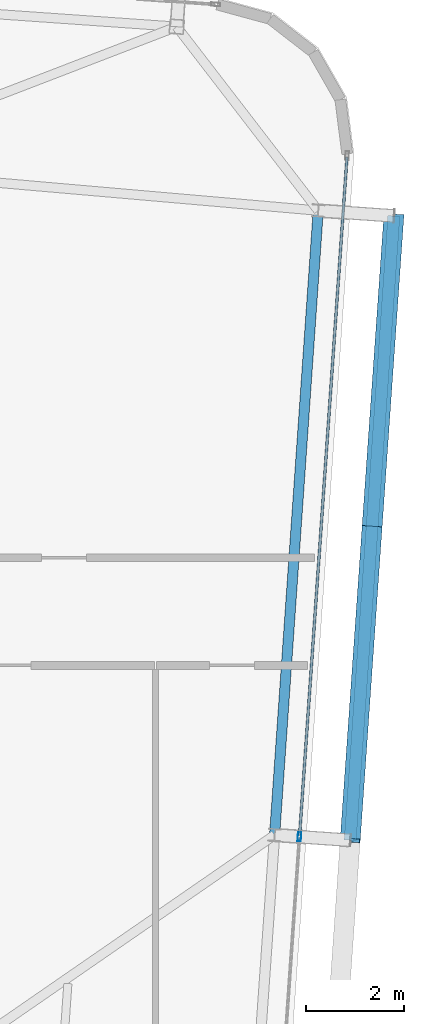
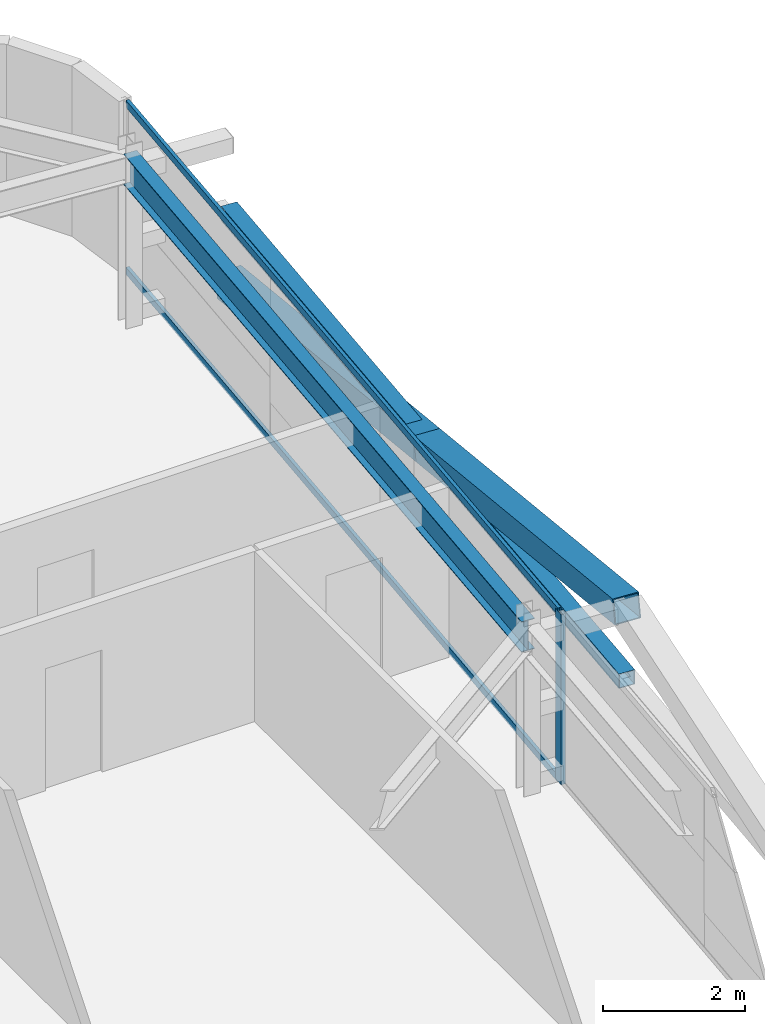
# One storey, part 17 of 39: 6 members, 1 beam, 1 element without a shape of its own.
"""IFC4 building model written with IfcOpenShell, lengths in metres."""

import ifcopenshell
import ifcopenshell.guid

model = None  # the IFC model being written
_history = None  # IfcOwnerHistory: only IFC2X3 demands one
_inside = {}  # id of a spatial element -> (the spatial element, [elements in it])
_under = {}  # id of a project, library or spatial element -> (it, [spatial elements below it])
_declared = {}  # id of a project -> (the project, [libraries it declares])
_typed = {}  # id of a type object -> (the type object, [elements of that type])
_made_of = {}  # id of a material, layer set ... -> (it, [elements and type objects made of it])


def new_model(schema):
    """Start an empty IFC model of exactly this schema.

    Asked for "IFC4X3", IfcOpenShell would pick the latest addendum, in which some entities
    have other attributes; the version numbers below select the first issue.
    IFC2X3 requires an IfcOwnerHistory on every rooted entity: one is made here for all.
    """
    global model, _history
    if schema == "IFC4X3":
        model = ifcopenshell.file(schema_version=(4, 3, 0, 0))
    else:
        model = ifcopenshell.file(schema=schema)
    _inside.clear()
    _under.clear()
    _declared.clear()
    _typed.clear()
    _made_of.clear()
    _history = None
    if model.schema == "IFC2X3":
        org = make("IfcOrganization", Name="unknown")
        user = make(
            "IfcPersonAndOrganization",
            ThePerson=make("IfcPerson", FamilyName="unknown"),
            TheOrganization=org,
        )
        app = make(
            "IfcApplication",
            ApplicationDeveloper=org,
            Version="unknown",
            ApplicationFullName="unknown",
            ApplicationIdentifier="unknown",
        )
        _history = make(
            "IfcOwnerHistory",
            OwningUser=user,
            OwningApplication=app,
            ChangeAction="ADDED",
            CreationDate=0,
        )
    return model


def make(cls, **values):
    """One entity of the class cls with the attributes given. An attribute that is None is left unset."""
    return model.create_entity(
        cls, **{name: value for name, value in values.items() if value is not None}
    )


def rooted(cls, **values):
    """An entity with a GlobalId (a new one), such as an element, a storey or a relation."""
    return make(cls, GlobalId=ifcopenshell.guid.new(), OwnerHistory=_history, **values)


def si_unit(unit_type, name, prefix=None):
    """IfcSIUnit, for example si_unit("LENGTHUNIT", "METRE", prefix="MILLI")."""
    return make("IfcSIUnit", UnitType=unit_type, Prefix=prefix, Name=name)


def assignment(units):
    """IfcUnitAssignment: the units of a project."""
    return None if units is None else make("IfcUnitAssignment", Units=units)


def point(xyz):
    """IfcCartesianPoint."""
    return None if xyz is None else make("IfcCartesianPoint", Coordinates=xyz)


def direction(xyz):
    """IfcDirection."""
    return None if xyz is None else make("IfcDirection", DirectionRatios=xyz)


def frame(location, z_axis=None, x_axis=None):
    """IfcAxis2Placement3D, a coordinate frame: its origin and axes. An axis left out is left unset."""
    return make(
        "IfcAxis2Placement3D",
        Location=point(location),
        Axis=direction(z_axis),
        RefDirection=direction(x_axis),
    )


def frame_2d(location, x_axis=None):
    """IfcAxis2Placement2D, a coordinate frame in the plane: its origin and x axis."""
    return make(
        "IfcAxis2Placement2D", Location=point(location), RefDirection=direction(x_axis)
    )


def origin():
    """The frame at (0, 0, 0) with its axes left unset."""
    return frame((0.0, 0.0, 0.0))


def origin_2d():
    """The frame at (0, 0) in the plane with its x axis left unset."""
    return frame_2d((0.0, 0.0))


def place(relative_to, where):
    """IfcLocalPlacement: puts the frame where relative to a parent placement (None: the world)."""
    return make(
        "IfcLocalPlacement", PlacementRelTo=relative_to, RelativePlacement=where
    )


def context(
    kind, dimensions, precision=None, world=None, true_north=None, identifier=None
):
    """IfcGeometricRepresentationContext, for example the 3D "Model" context."""
    return make(
        "IfcGeometricRepresentationContext",
        ContextIdentifier=identifier,
        ContextType=kind,
        CoordinateSpaceDimension=dimensions,
        Precision=precision,
        WorldCoordinateSystem=world,
        TrueNorth=true_north,
    )


def subcontext(parent, identifier, kind, view, scale=None):
    """IfcGeometricRepresentationSubContext, for example "Body" below "Model"."""
    return make(
        "IfcGeometricRepresentationSubContext",
        ContextIdentifier=identifier,
        ContextType=kind,
        ParentContext=parent,
        TargetScale=scale,
        TargetView=view,
    )


def project(units=None, contexts=None):
    """IfcProject with its units and contexts."""
    return rooted(
        "IfcProject",
        Name="project",
        RepresentationContexts=contexts,
        UnitsInContext=assignment(units),
    )


def spatial(cls, under=None, at=None, **own):
    """A site, building, storey or space (cls), placed at a placement, below another one or the project."""
    s = rooted(cls, ObjectPlacement=at, **own)
    if under is not None:
        _under.setdefault(under.id(), (under, []))[1].append(s)
    return s


def profile(cls, at=None, kind="AREA", **sizes):
    """A parametric profile (cls). Its sizes go by their IFC names, for example OverallWidth=200.0."""
    return make(cls, ProfileType=kind, Position=at, **sizes)


def hollow_rectangle(**sizes):
    """IfcRectangleHollowProfileDef."""
    return profile("IfcRectangleHollowProfileDef", **sizes)


def i_section(**sizes):
    """IfcIShapeProfileDef."""
    return profile("IfcIShapeProfileDef", **sizes)


def extrude(swept, where, along, depth):
    """IfcExtrudedAreaSolid: the profile swept, set in the frame where, extruded along a direction by depth."""
    return make(
        "IfcExtrudedAreaSolid",
        SweptArea=swept,
        Position=where,
        ExtrudedDirection=direction(along),
        Depth=depth,
    )


def shape(context_of_items, identifier, shape_type, items):
    """IfcShapeRepresentation: the items that make up one representation, for example the "Body"."""
    return make(
        "IfcShapeRepresentation",
        ContextOfItems=context_of_items,
        RepresentationIdentifier=identifier,
        RepresentationType=shape_type,
        Items=items,
    )


def source(mapping_origin, context_of_items, identifier, shape_type, items):
    """IfcRepresentationMap: a shape defined once, which mapped items show again and again."""
    return make(
        "IfcRepresentationMap",
        MappingOrigin=mapping_origin,
        MappedRepresentation=shape(context_of_items, identifier, shape_type, items),
    )


def transform(
    local_origin,
    x_axis=None,
    y_axis=None,
    z_axis=None,
    scale=None,
    scale2=None,
    scale3=None,
    uniform=True,
):
    """IfcCartesianTransformationOperator3D, or its non-uniform kind. x_axis, y_axis, z_axis: its Axis1, 2, 3."""
    if uniform:
        return make(
            "IfcCartesianTransformationOperator3D",
            Axis1=direction(x_axis),
            Axis2=direction(y_axis),
            LocalOrigin=point(local_origin),
            Scale=scale,
            Axis3=direction(z_axis),
        )
    return make(
        "IfcCartesianTransformationOperator3DnonUniform",
        Axis1=direction(x_axis),
        Axis2=direction(y_axis),
        LocalOrigin=point(local_origin),
        Scale=scale,
        Axis3=direction(z_axis),
        Scale2=scale2,
        Scale3=scale3,
    )


def mapped(mapping_source, mapping_target):
    """IfcMappedItem: shows the shape of a source again, moved by a transform."""
    return make(
        "IfcMappedItem", MappingSource=mapping_source, MappingTarget=mapping_target
    )


def material(Name=None, Category=None):
    """IfcMaterial."""
    return make("IfcMaterial", Name=Name, Category=Category)


def layer(
    of_material, thickness, ventilated=None, Name=None, Category=None, Priority=None
):
    """IfcMaterialLayer: one layer of a wall or slab, of a material (None: an air gap)."""
    return make(
        "IfcMaterialLayer",
        Material=of_material,
        LayerThickness=thickness,
        IsVentilated=ventilated,
        Name=Name,
        Category=Category,
        Priority=Priority,
    )


def layer_set(layers, Name=None):
    """IfcMaterialLayerSet."""
    return make("IfcMaterialLayerSet", MaterialLayers=layers, LayerSetName=Name)


def material_profile(
    of_material, cross_section, Name=None, Category=None, Priority=None
):
    """IfcMaterialProfile: a cross section and its material."""
    return make(
        "IfcMaterialProfile",
        Name=Name,
        Material=of_material,
        Profile=cross_section,
        Priority=Priority,
        Category=Category,
    )


def profile_set(profiles, Name=None, composite=None):
    """IfcMaterialProfileSet."""
    return make(
        "IfcMaterialProfileSet",
        Name=Name,
        MaterialProfiles=profiles,
        CompositeProfile=composite,
    )


def made_of(thing, what):
    """Note that an element or type object is made of a material, layer set ...; save() writes the relation."""
    if what is not None:
        _made_of.setdefault(what.id(), (what, []))[1].append(thing)
    return thing


def type_object(cls, material=None, **own):
    """A type object (cls), such as IfcWallType, which elements share."""
    return made_of(rooted(cls, **own), material)


def element(
    cls,
    number,
    at=None,
    inside=None,
    cuts=None,
    type_object=None,
    material=None,
    context=None,
    identifier="Body",
    shape_type=None,
    held_by="IfcProductDefinitionShape",
    body=None,
    shapes=None,
    **own,
):
    """One element of the class cls, such as IfcWall. Its Tag is "e" and its number.

    at: its placement. inside: the storey or other place that contains it. cuts: it is an
    opening in that element (IfcRelVoidsElement). A single representation is given by context,
    identifier, shape_type and body (its items); several are given by shapes. held_by: the class
    of the entity that holds the representations. save() writes the other relations.
    """
    e = rooted(cls, Tag="e%d" % number, ObjectPlacement=at, **own)
    if body is not None:
        shapes = [shape(context, identifier, shape_type, body)]
    if shapes is not None:
        e.Representation = make(held_by, Representations=shapes)
    if inside is not None:
        _inside.setdefault(inside.id(), (inside, []))[1].append(e)
    if cuts is not None:
        rooted(
            "IfcRelVoidsElement", RelatingBuildingElement=cuts, RelatedOpeningElement=e
        )
    if type_object is not None:
        _typed.setdefault(type_object.id(), (type_object, []))[1].append(e)
    return made_of(e, material)


def aggregate(whole, parts):
    """IfcRelAggregates: a whole, such as a stair, and the parts it consists of."""
    return rooted("IfcRelAggregates", RelatingObject=whole, RelatedObjects=parts)


def save(model, path):
    """Write the relations noted so far, then the file.

    IfcRelAggregates (storeys below a building ...), IfcRelContainedInSpatialStructure (elements
    in a storey), IfcRelDefinesByType, IfcRelAssociatesMaterial and IfcRelDeclares: one each for
    every whole, place, type object, material and project.
    """
    for whole, parts in _under.values():
        aggregate(whole, parts)
    for where, things in _inside.values():
        rooted(
            "IfcRelContainedInSpatialStructure",
            RelatedElements=things,
            RelatingStructure=where,
        )
    for kind, things in _typed.values():
        rooted("IfcRelDefinesByType", RelatedObjects=things, RelatingType=kind)
    for what, things in _made_of.values():
        rooted("IfcRelAssociatesMaterial", RelatedObjects=things, RelatingMaterial=what)
    for by, libraries in _declared.values():
        rooted("IfcRelDeclares", RelatingContext=by, RelatedDefinitions=libraries)
    model.write(path)


model = new_model("IFC4")

# Units and contexts
model_context = context("Model", 3, precision=1e-05, world=origin(), true_north=direction((0.0, 1.0)))
body_context = subcontext(model_context, "Body", "Model", "MODEL_VIEW")
ifc_project = project(units=[si_unit("LENGTHUNIT", "METRE"), si_unit("AREAUNIT", "SQUARE_METRE"), si_unit("VOLUMEUNIT", "CUBIC_METRE"), si_unit("PLANEANGLEUNIT", "RADIAN"), si_unit("MASSUNIT", "GRAM", prefix="KILO")], contexts=[model_context])

# Site, building, storey
site_placement = place(None, origin())
site = spatial("IfcSite", under=ifc_project, at=site_placement, CompositionType="ELEMENT")
building_placement = place(site_placement, origin())
building = spatial("IfcBuilding", under=site, at=building_placement, Name="Taldren Reach Tower", CompositionType="ELEMENT")
storey_placement = place(building_placement, frame((0.0, 0.0, 120.39990234375)))
storey = spatial("IfcBuildingStorey", under=building, at=storey_placement, Name="L36", CompositionType="ELEMENT", Elevation=120.39990234375)

# Beam
ifc_material_1 = material(Name="Steel Gr 350 (350PLUS)", Category="steel")
ifc_material_profile_1 = material_profile(ifc_material_1, i_section(OverallWidth=0.208984375, OverallDepth=0.528076171875, WebThickness=0.009521484375, FlangeThickness=0.01318359375, at=origin_2d()), Name="530UB82.0")
ifc_profile_set_1 = profile_set([ifc_material_profile_1], Name="Steel Gr 350 (350PLUS)")
beam_type = type_object("IfcBeamType", Name="SP-UB530B", PredefinedType="SPANDREL", material=ifc_profile_set_1)
shared_shape_1 = source(origin(), body_context, "Body", "SweptSolid", [
    extrude(i_section(OverallWidth=0.208984375, OverallDepth=0.528076171875, WebThickness=0.009521484375, FlangeThickness=0.01318359375, at=origin_2d()), origin(), (0.0, 0.0, 1.0), 12.800048828125),
])
beam_placement = place(storey_placement, frame((60.438232421875, 18.331787109375, 2.666015625), z_axis=(0.069751876777, 0.9975643717, 0.0), x_axis=(-0.9975643717, 0.069751876777, 0.0)))
element("IfcBeam", 1, at=beam_placement, inside=storey, type_object=beam_type, Name="Perimeter spandrel B3 E2-E3 L36", PredefinedType="SPANDREL", context=body_context, shape_type="MappedRepresentation", body=[
    mapped(shared_shape_1, transform((0.0, 0.0, 0.0), scale=1.0)),
])

# Members
ifc_material_2 = material(Name="Steel Gr 350 (C350L0)", Category="steel")
ifc_material_profile_2 = material_profile(ifc_material_2, hollow_rectangle(XDim=0.25, YDim=0.25, WallThickness=0.010009765625, at=origin_2d()), Name="250x250x10.0SHS")
ifc_profile_set_2 = profile_set([ifc_material_profile_2], Name="Steel Gr 350 (C350L0)")
member_type_1 = type_object("IfcMemberType", Name="MB-POST250", PredefinedType="POST", material=ifc_profile_set_2)
shared_shape_2 = source(origin(), body_context, "Body", "SweptSolid", [
    extrude(hollow_rectangle(XDim=0.25, YDim=0.25, WallThickness=0.010009765625, at=origin_2d()), origin(), (0.0, 0.0, 1.0), 12.800048828125),
])
member_1_placement = place(storey_placement, frame((61.984375, 18.2236328125, 1.43505859375), z_axis=(0.069770857464, 0.997563044348, 0.0), x_axis=(-0.997563044348, 0.069770857464, 0.0)))
element("IfcMember", 2, at=member_1_placement, inside=storey, type_object=member_type_1, Name="Exoskeleton mid-height ring chord B3-E2 L36", PredefinedType="POST", context=body_context, shape_type="MappedRepresentation", body=[
    mapped(shared_shape_2, transform((0.0, 0.0, 0.0), scale=1.0)),
])
ifc_material_3 = material(Name="Steel Gr 450 (C450L0)", Category="steel")
ifc_material_profile_3 = material_profile(ifc_material_3, hollow_rectangle(XDim=0.409912109375, YDim=0.409912109375, WallThickness=0.01611328125, at=origin_2d()), Name="410x410x16.0SHS")
ifc_profile_set_3 = profile_set([ifc_material_profile_3], Name="Steel Gr 450 (C450L0)")
member_type_2 = type_object("IfcMemberType", Name="MB-EXO406", PredefinedType="BRACE", material=ifc_profile_set_3)
shared_shape_3 = source(origin(), body_context, "Body", "SweptSolid", [
    extrude(hollow_rectangle(XDim=0.409912109375, YDim=0.409912109375, WallThickness=0.01611328125, at=origin_2d()), origin(), (0.0, 0.0, 1.0), 6.514404296875),
])
member_2_placement = place(storey_placement, frame((62.87744140625, 30.992431640625, 0.22021484375), z_axis=(-0.068545605936, -0.980063499638, 0.186486022492), x_axis=(0.997563137195, -0.069769529958, 0.0)))
element("IfcMember", 3, at=member_2_placement, inside=storey, type_object=member_type_2, Name="Exoskeleton Diagrid Brace B3-E2 L36", PredefinedType="BRACE", context=body_context, shape_type="MappedRepresentation", body=[
    mapped(shared_shape_3, transform((0.0, 0.0, 0.0), scale=1.0)),
])
shared_shape_4 = source(origin(), body_context, "Body", "SweptSolid", [
    extrude(hollow_rectangle(XDim=0.409912109375, YDim=0.409912109375, WallThickness=0.01611328125, at=origin_2d()), origin(), (0.0, 0.0, 1.0), 6.51416015625),
])
member_3_placement = place(storey_placement, frame((62.430908203125, 24.60791015625, 1.43505859375), z_axis=(-0.068547644544, -0.980055169399, 0.186529046964), x_axis=(0.997562951496, -0.069772185021, 0.0)))
element("IfcMember", 4, at=member_3_placement, inside=storey, type_object=member_type_2, Name="Exoskeleton Diagrid Brace B3-E2 L36", PredefinedType="BRACE", context=body_context, shape_type="MappedRepresentation", body=[
    mapped(shared_shape_4, transform((0.0, 0.0, 0.0), scale=1.0)),
])

# Curtain wall, members
ifc_material_4 = material(Name="Aluminium and Low-E Glass Unitised System", Category="aluminium")
ifc_layer = layer(ifc_material_4, 0.159912109375)
ifc_layer_set = layer_set([ifc_layer], Name="Aluminium and Low-E Glass Unitised System")
curtain_wall_type = type_object("IfcCurtainWallType", Name="CW-SYS-4", PredefinedType="NOTDEFINED", material=ifc_layer_set)
curtain_wall_placement = place(storey_placement, origin())
curtain_wall = element("IfcCurtainWall", 5, at=curtain_wall_placement, inside=storey, type_object=curtain_wall_type, Name="Unitised curtain wall CW-L36-E", PredefinedType="NOTDEFINED")
ifc_material_5 = material(Name="Anodised Aluminium 6063-T6", Category="aluminium")
ifc_material_profile_4 = material_profile(ifc_material_5, hollow_rectangle(XDim=0.070068359375, YDim=0.179931640625, WallThickness=0.00390625, at=origin_2d()), Name="ALU-180x70x4RHS")
ifc_profile_set_4 = profile_set([ifc_material_profile_4], Name="Anodised Aluminium 6063-T6")
member_type_3 = type_object("IfcMemberType", Name="CW-MUL-180", PredefinedType="MULLION", material=ifc_profile_set_4)
shared_shape_5 = source(origin(), body_context, "Body", "SweptSolid", [
    extrude(hollow_rectangle(XDim=0.070068359375, YDim=0.179931640625, WallThickness=0.00390625, at=origin_2d()), origin(), (0.0, 0.0, 1.0), 2.93017578125),
])
member_4_placement = place(storey_placement, frame((60.947021484375, 18.296142578125, 0.0), z_axis=(0.0, 0.0, 1.0), x_axis=(-0.997564052812, 0.069756437251, 0.0)))
member_4 = element("IfcMember", 6, at=member_4_placement, type_object=member_type_3, Name="CW-4 mullion 2", PredefinedType="MULLION", context=body_context, shape_type="MappedRepresentation", body=[
    mapped(shared_shape_5, transform((0.0, 0.0, 0.0), scale=1.0)),
])
ifc_material_profile_5 = material_profile(ifc_material_5, hollow_rectangle(XDim=0.054931640625, YDim=0.1201171875, WallThickness=0.0029296875, at=origin_2d()), Name="ALU-120x55x3RHS")
ifc_profile_set_5 = profile_set([ifc_material_profile_5], Name="Anodised Aluminium 6063-T6")
member_type_4 = type_object("IfcMemberType", Name="CW-TRN-135", PredefinedType="USERDEFINED", material=ifc_profile_set_5)
shared_shape_6 = source(origin(), body_context, "Body", "SweptSolid", [
    extrude(hollow_rectangle(XDim=0.054931640625, YDim=0.1201171875, WallThickness=0.0029296875, at=origin_2d()), origin(), (0.0, 0.0, 1.0), 13.89501953125),
])
member_5_placement = place(storey_placement, frame((60.949462890625, 18.3310546875, 0.027587890625), z_axis=(0.069754817075, 0.997564166104, 0.0), x_axis=(-0.997564166104, 0.069754817075, 0.0)))
member_5 = element("IfcMember", 7, at=member_5_placement, type_object=member_type_4, Name="CW-4 transom 2.1", ObjectType="TRANSOM", PredefinedType="USERDEFINED", context=body_context, shape_type="MappedRepresentation", body=[
    mapped(shared_shape_6, transform((0.0, 0.0, 0.0), scale=1.0)),
])
member_6_placement = place(storey_placement, frame((60.949462890625, 18.3310546875, 2.902587890625), z_axis=(0.069754817075, 0.997564166104, 0.0), x_axis=(-0.997564166104, 0.069754817075, 0.0)))
member_6 = element("IfcMember", 8, at=member_6_placement, type_object=member_type_4, Name="CW-4 transom 2.2", ObjectType="TRANSOM", PredefinedType="USERDEFINED", context=body_context, shape_type="MappedRepresentation", body=[
    mapped(shared_shape_6, transform((0.0, 0.0, 0.0), scale=1.0)),
])
aggregate(curtain_wall, [member_4, member_5, member_6])

save(model, "model.ifc")
